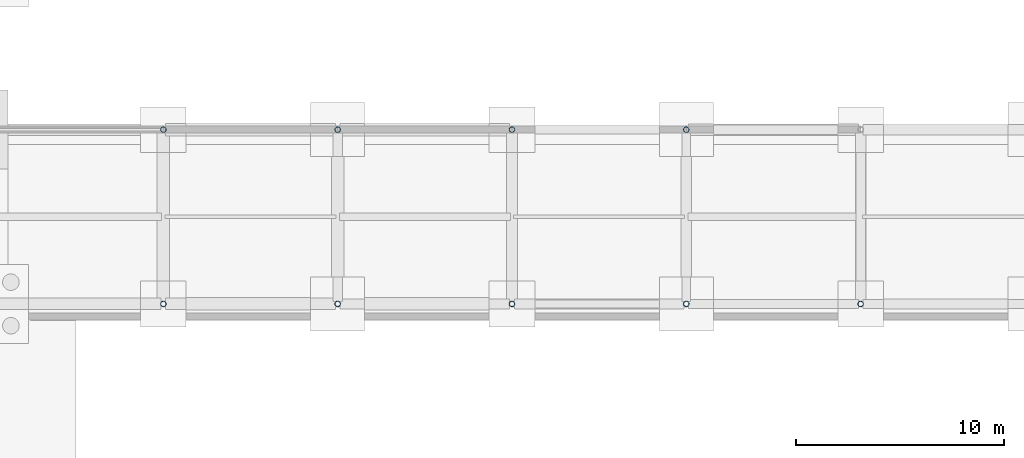
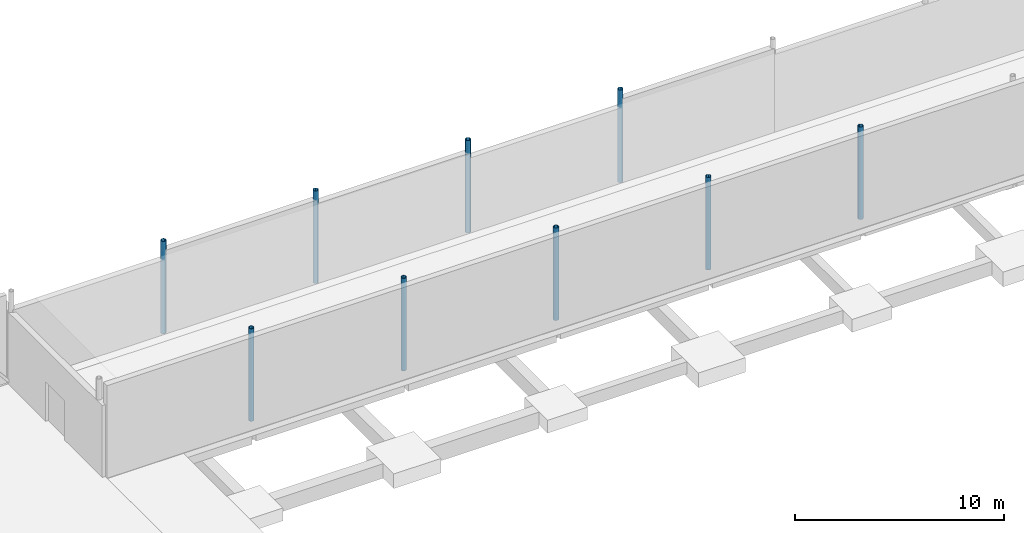
# One storey, part 17 of 82: 9 columns.
"""IFC4 building model written with IfcOpenShell, lengths in metres."""

from ifc_helpers import new_model, si_unit, derived_unit, direction, frame, origin, origin_2d, place, context, subcontext, project, spatial, hollow_circle, extrude, material, material_profile, profile_set, type_object, element, save


model = new_model("IFC4")

# Units and contexts
model_context = context("Model", 3, precision=1e-05, world=origin(), true_north=direction((0.0, 1.0)))
body_context = subcontext(model_context, "Body", "Model", "MODEL_VIEW")
ifc_project = project(units=[si_unit("LENGTHUNIT", "METRE"), si_unit("AREAUNIT", "SQUARE_METRE"), si_unit("VOLUMEUNIT", "CUBIC_METRE"), si_unit("PLANEANGLEUNIT", "RADIAN"), si_unit("MASSUNIT", "GRAM", prefix="KILO"), derived_unit("THERMALTRANSMITTANCEUNIT", [(si_unit("POWERUNIT", "WATT"), 1), (si_unit("LENGTHUNIT", "METRE"), -2), (si_unit("THERMODYNAMICTEMPERATUREUNIT", "KELVIN"), -1)])], contexts=[model_context])

# Site, building, storey
site_placement = place(None, origin())
site = spatial("IfcSite", under=ifc_project, at=site_placement, CompositionType="ELEMENT")
building_placement = place(site_placement, origin())
building = spatial("IfcBuilding", under=site, at=building_placement, Name="Barrovel Congress Hotel", CompositionType="ELEMENT")
storey_placement = place(building_placement, origin())
storey = spatial("IfcBuildingStorey", under=building, at=storey_placement, Name="L00", CompositionType="ELEMENT", Elevation=0.0)

# Columns
ifc_material = material(Name="Steel ASTM A500 Grade C", Category="steel")
ifc_material_profile = material_profile(ifc_material, hollow_circle(Radius=0.136474609375, WallThickness=0.01171875, at=origin_2d()), Name="CHS273.1x12.7")
ifc_profile_set = profile_set([ifc_material_profile], Name="Steel ASTM A500 Grade C")
column_type = type_object("IfcColumnType", Name="SCOL-CHS273.1x12.7", PredefinedType="COLUMN", material=ifc_profile_set)
for number, where, z_axis, x_axis, name in (
    (1, (67.199951171875, 96.60009765625, 0.0), (0.0, 0.0, 1.0), (1.0, 0.0, 0.0), "COL:L00:67.2:96.6"),
    (2, (67.199951171875, 105.0, 0.0), (0.0, 0.0, 1.0), (1.0, 0.0, 0.0), "COL:L00:67.2:105.0"),
    (3, (75.60009765625, 96.60009765625, 0.0), (0.0, 0.0, 1.0), (1.0, 0.0, 0.0), "COL:L00:75.6:96.6"),
    (4, (75.60009765625, 105.0, 0.0), (0.0, 0.0, 1.0), (1.0, 0.0, 0.0), "COL:L00:75.6:105.0"),
    (5, (84.0, 96.60009765625, 0.0), (0.0, 0.0, 1.0), (1.0, 0.0, 0.0), "COL:L00:84.0:96.6"),
    (6, (84.0, 105.0, 0.0), (0.0, 0.0, 1.0), (1.0, 0.0, 0.0), "COL:L00:84.0:105.0"),
    (7, (92.39990234375, 96.60009765625, 0.0), (0.0, 0.0, 1.0), (1.0, 0.0, 0.0), "COL:L00:92.4:96.6"),
    (8, (92.39990234375, 105.0, 0.0), (0.0, 0.0, 1.0), (1.0, 0.0, 0.0), "COL:L00:92.4:105.0"),
    (9, (100.800048828125, 96.60009765625, 0.0), (0.0, 0.0, 1.0), (1.0, 0.0, 0.0), "COL:L00:100.8:96.6"),
):
    element("IfcColumn", number, at=place(storey_placement, frame(where, z_axis=z_axis, x_axis=x_axis)), inside=storey, type_object=column_type, Name=name, PredefinedType="COLUMN", context=body_context, shape_type="SweptSolid", body=[
        extrude(hollow_circle(Radius=0.136474609375, WallThickness=0.01171875, at=origin_2d()), origin(), (0.0, 0.0, 1.0), 5.39990234375),
    ])

save(model, "model.ifc")
